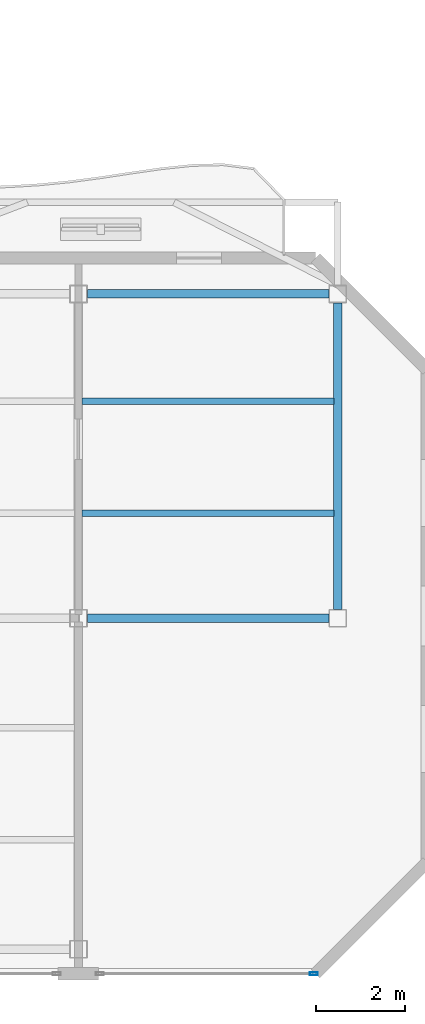
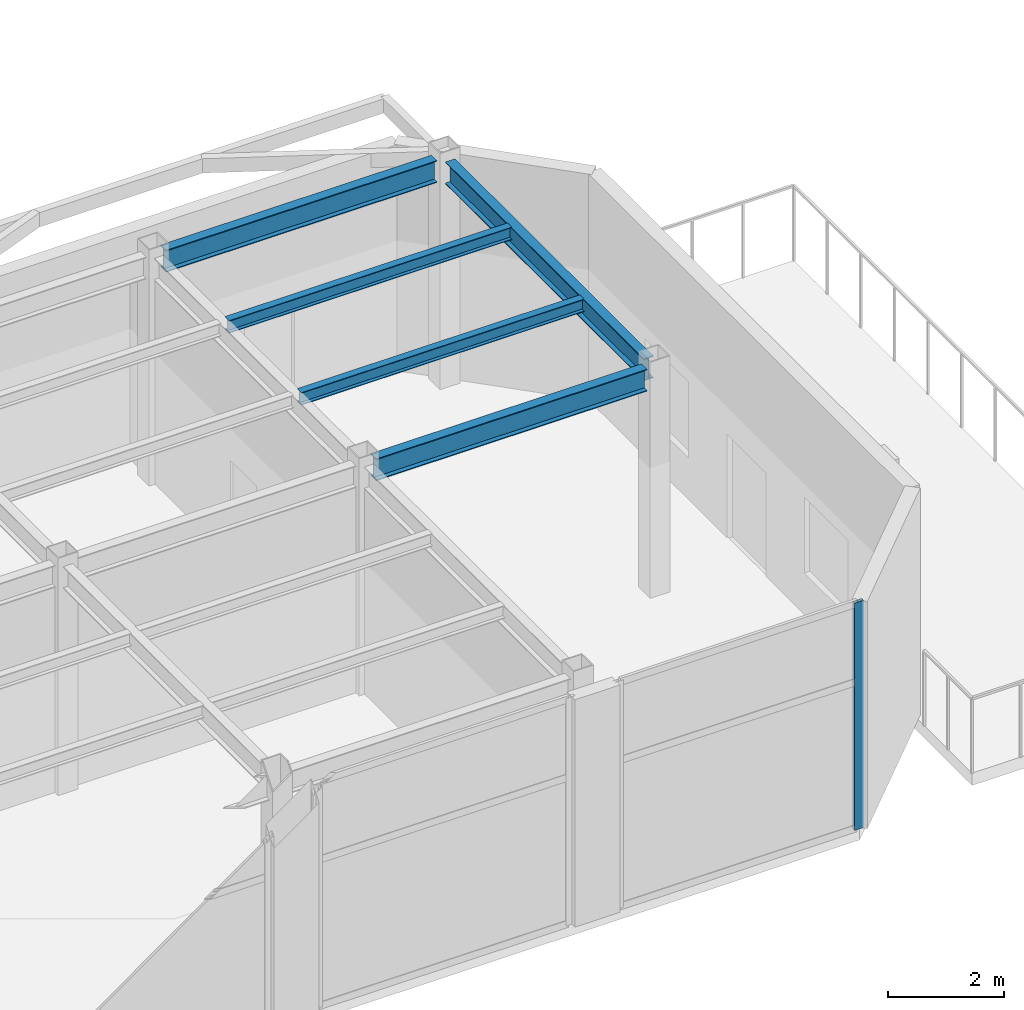
# One storey, part 7 of 14: 5 beams, 1 member, 1 element without a shape of its own.
"""IFC4 building model written with IfcOpenShell, lengths in metres."""

from ifc_helpers import new_model, si_unit, direction, frame, origin, origin_2d, place, context, subcontext, project, spatial, hollow_rectangle, i_section, extrude, material, layer, layer_set, material_profile, profile_set, type_object, element, aggregate, save


model = new_model("IFC4")

# Units and contexts
model_context = context("Model", 3, precision=1e-05, world=origin(), true_north=direction((0.0, 1.0)))
body_context = subcontext(model_context, "Body", "Model", "MODEL_VIEW")
ifc_project = project(units=[si_unit("LENGTHUNIT", "METRE"), si_unit("AREAUNIT", "SQUARE_METRE"), si_unit("VOLUMEUNIT", "CUBIC_METRE"), si_unit("PLANEANGLEUNIT", "RADIAN"), si_unit("MASSUNIT", "GRAM", prefix="KILO")], contexts=[model_context])

# Site, building, storey
site_placement = place(None, origin())
site = spatial("IfcSite", under=ifc_project, at=site_placement, CompositionType="ELEMENT")
building_placement = place(site_placement, origin())
building = spatial("IfcBuilding", under=site, at=building_placement, Name="Mawjaban Terraces University", CompositionType="ELEMENT")
storey_placement = place(building_placement, frame((0.0, 0.0, 243.199951171875)))
storey = spatial("IfcBuildingStorey", under=building, at=storey_placement, Name="L59", CompositionType="ELEMENT", Elevation=243.199951171875)

# Beams
ifc_material_1 = material(Name="Steel ASTM A572 Grade 50", Category="steel")
ifc_material_profile_1 = material_profile(ifc_material_1, i_section(OverallWidth=0.19189453125, OverallDepth=0.462890625, WebThickness=0.010498046875, FlangeThickness=0.017578125, at=origin_2d()), Name="W460X89")
ifc_profile_set_1 = profile_set([ifc_material_profile_1], Name="Steel ASTM A572 Grade 50")
beam_type_1 = type_object("IfcBeamType", Name="Beam_B_W460X89", PredefinedType="BEAM", material=ifc_profile_set_1)
for number, where, z_axis, x_axis, name in (
    (1, (52.199951171875, 7.949951171875, 4.55810546875), (1.0, 0.0, 0.0), (0.0, 1.0, 0.0), "L59 Beam BM-L59-EW-05"),
    (2, (52.199951171875, 15.199951171875, 4.55810546875), (1.0, 0.0, 0.0), (0.0, 1.0, 0.0), "L59 Beam BM-L59-EW-07"),
):
    element("IfcBeam", number, at=place(storey_placement, frame(where, z_axis=z_axis, x_axis=x_axis)), inside=storey, type_object=beam_type_1, Name=name, PredefinedType="BEAM", context=body_context, shape_type="SweptSolid", body=[
        extrude(i_section(OverallWidth=0.19189453125, OverallDepth=0.462890625, WebThickness=0.010498046875, FlangeThickness=0.017578125, at=origin_2d()), origin(), (0.0, 0.0, 1.0), 5.400146484375),
    ])
beam_placement = place(storey_placement, frame((57.800048828125, 8.14990234375, 4.55810546875), z_axis=(0.0, 1.0, 0.0), x_axis=(-1.0, 0.0, 0.0)))
element("IfcBeam", 3, at=beam_placement, inside=storey, type_object=beam_type_1, Name="L59 Beam BM-L59-NS-12", PredefinedType="BEAM", context=body_context, shape_type="SweptSolid", body=[
    extrude(i_section(OverallWidth=0.19189453125, OverallDepth=0.462890625, WebThickness=0.010498046875, FlangeThickness=0.017578125, at=origin_2d()), origin(), (0.0, 0.0, 1.0), 6.85009765625),
])
ifc_material_profile_2 = material_profile(ifc_material_1, i_section(OverallWidth=0.14794921875, OverallDepth=0.26611328125, WebThickness=0.007568359375, FlangeThickness=0.012939453125, at=origin_2d()), Name="W250X45")
ifc_profile_set_2 = profile_set([ifc_material_profile_2], Name="Steel ASTM A572 Grade 50")
beam_type_2 = type_object("IfcBeamType", Name="Beam_J_W250X45", PredefinedType="JOIST", material=ifc_profile_set_2)
for number, where, z_axis, x_axis, name in (
    (4, (52.080078125, 10.300048828125, 4.656982421875), (1.0, 0.0, 0.0), (0.0, 1.0, 0.0), "L59 Composite Joist JST-L59-07"),
    (5, (52.080078125, 12.800048828125, 4.656982421875), (1.0, 0.0, 0.0), (0.0, 1.0, 0.0), "L59 Composite Joist JST-L59-10"),
):
    element("IfcBeam", number, at=place(storey_placement, frame(where, z_axis=z_axis, x_axis=x_axis)), inside=storey, type_object=beam_type_2, Name=name, PredefinedType="JOIST", context=body_context, shape_type="SweptSolid", body=[
        extrude(i_section(OverallWidth=0.14794921875, OverallDepth=0.26611328125, WebThickness=0.007568359375, FlangeThickness=0.012939453125, at=origin_2d()), origin(), (0.0, 0.0, 1.0), 5.639892578125),
    ])

# Curtain wall, member
ifc_material_2 = material(Name="Anodised aluminium 6063-T6 and solar-control low-E glass", Category="aluminium")
ifc_layer = layer(ifc_material_2, 0.18994140625)
ifc_layer_set = layer_set([ifc_layer], Name="Anodised aluminium 6063-T6 and solar-control low-E glass")
curtain_wall_type = type_object("IfcCurtainWallType", Name="CWSystem_05_SkyLobby", PredefinedType="NOTDEFINED", material=ifc_layer_set)
curtain_wall_placement = place(storey_placement, origin())
curtain_wall = element("IfcCurtainWall", 6, at=curtain_wall_placement, inside=storey, type_object=curtain_wall_type, Name="L59 Curtain Wall CW-05 Run 1.5", PredefinedType="NOTDEFINED")
ifc_material_3 = material(Name="Anodised aluminium 6063-T6", Category="aluminium")
ifc_material_profile_3 = material_profile(ifc_material_3, hollow_rectangle(XDim=0.06494140625, YDim=0.179931640625, WallThickness=0.00390625, at=origin_2d()), Name="ALU180X65X4")
ifc_profile_set_3 = profile_set([ifc_material_profile_3], Name="Anodised aluminium 6063-T6")
member_type = type_object("IfcMemberType", Name="Mullion_CW-05", PredefinedType="MULLION", material=ifc_profile_set_3)
member_placement = place(storey_placement, frame((57.267578125, 0.0, 0.0), z_axis=(0.0, 0.0, 1.0), x_axis=(0.0, 1.0, 0.0)))
member = element("IfcMember", 7, at=member_placement, type_object=member_type, Name="CW-05 mullion 2", PredefinedType="MULLION", context=body_context, shape_type="SweptSolid", body=[
    extrude(hollow_rectangle(XDim=0.06494140625, YDim=0.179931640625, WallThickness=0.00390625, at=origin_2d()), origin(), (0.0, 0.0, 1.0), 4.7900390625),
])
aggregate(curtain_wall, [member])

save(model, "model.ifc")
